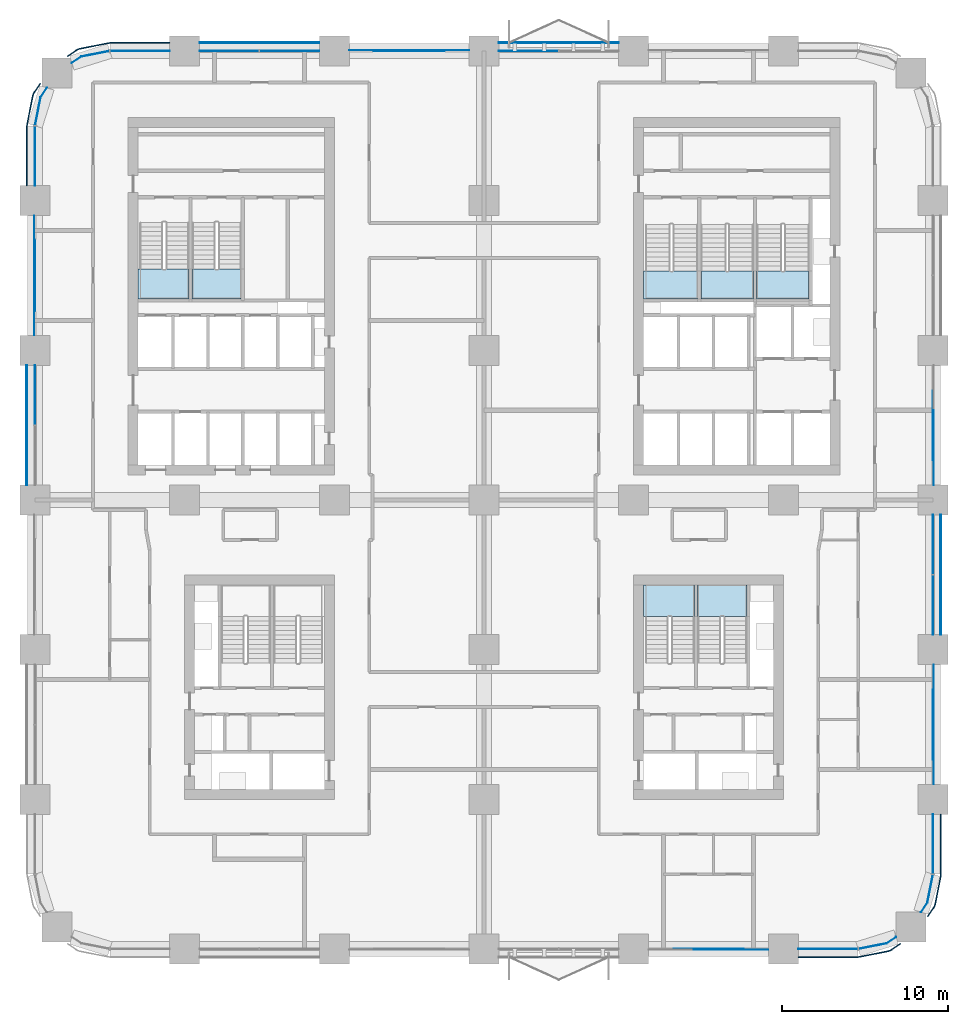
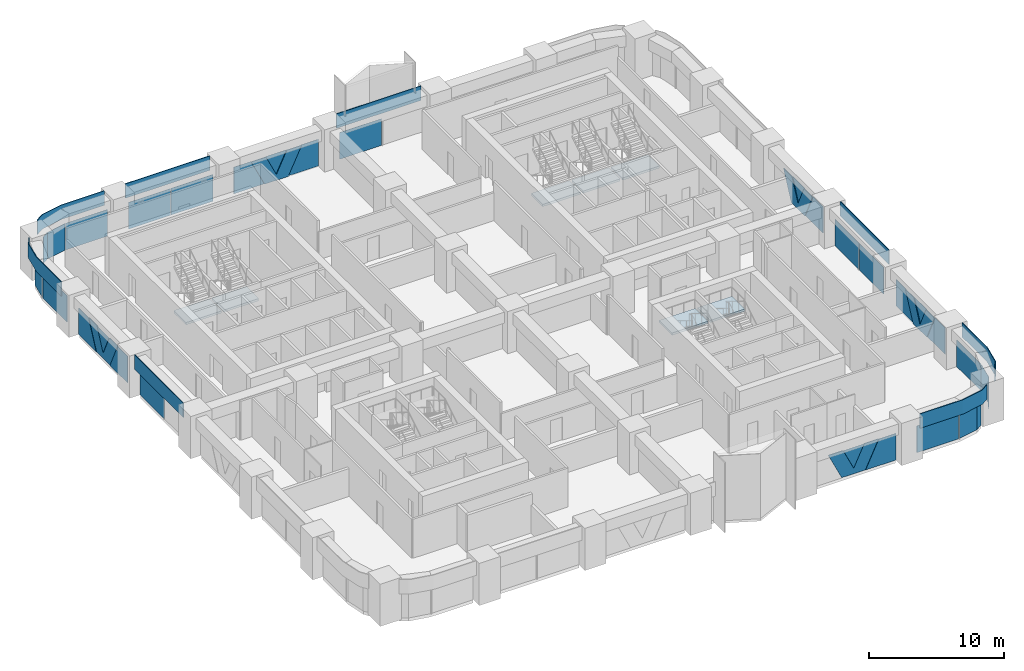
# One storey, part 11 of 22: 40 plates, 7 slabs, 20 elements without a shape of their own.
"""IFC4 building model written with IfcOpenShell, lengths in metres."""

from ifc_helpers import new_model, si_unit, direction, frame, origin, origin_2d, place, context, subcontext, project, spatial, polyline, rectangle, outline, extrude, material, layer, layer_set, type_object, element, aggregate, save


model = new_model("IFC4")

# Units and contexts
model_context = context("Model", 3, precision=1e-05, world=origin(), true_north=direction((0.0, 1.0)))
body_context = subcontext(model_context, "Body", "Model", "MODEL_VIEW")
ifc_project = project(units=[si_unit("LENGTHUNIT", "METRE"), si_unit("AREAUNIT", "SQUARE_METRE"), si_unit("VOLUMEUNIT", "CUBIC_METRE"), si_unit("PLANEANGLEUNIT", "RADIAN"), si_unit("MASSUNIT", "GRAM", prefix="KILO")], contexts=[model_context])

# Site, building, storey
site_placement = place(None, origin())
site = spatial("IfcSite", under=ifc_project, at=site_placement, CompositionType="ELEMENT")
building_placement = place(site_placement, origin())
building = spatial("IfcBuilding", under=site, at=building_placement, Name="Tessera Arch", CompositionType="ELEMENT")
storey_placement = place(building_placement, frame((0.0, 0.0, 53.800048828125)))
storey = spatial("IfcBuildingStorey", under=building, at=storey_placement, Name="L11", CompositionType="ELEMENT", Elevation=53.800048828125)

# Curtain wall, plates
ifc_material_1 = material(Name="CW1 curtain wall")
curtain_wall_type_1 = type_object("IfcCurtainWallType", Name="CW1 curtain wall", PredefinedType="NOTDEFINED", material=ifc_material_1)
curtain_wall_1_placement = place(storey_placement, origin())
curtain_wall_1 = element("IfcCurtainWall", 1, at=curtain_wall_1_placement, inside=storey, type_object=curtain_wall_type_1, Name="CW1 curtain wall E54.0/2 L11", PredefinedType="NOTDEFINED")
ifc_material_2 = material(Name="Clear low-e glass", Category="glass")
ifc_material_3 = material(Name="Clear low-e glass", Category="glass")
ifc_layer_1 = layer(ifc_material_3, 0.028076171875)
ifc_layer_set_1 = layer_set([ifc_layer_1], Name="CW1 glass panel")
plate_type_1 = type_object("IfcPlateType", Name="CW1 glass panel", PredefinedType="CURTAIN_PANEL", material=ifc_layer_set_1)
plate_1_placement = place(storey_placement, frame((54.0, 20.68505859375, 0.0), z_axis=(0.0, 0.0, 1.0), x_axis=(0.0, 1.0, 0.0)))
plate_1 = element("IfcPlate", 2, at=plate_1_placement, type_object=plate_type_1, material=ifc_material_2, Name="CW1 glass panel E54.0/2 1.1.1", PredefinedType="CURTAIN_PANEL", context=body_context, shape_type="SweptSolid", body=[
    extrude(rectangle(XDim=3.570068359375, YDim=0.028076171875, at=origin_2d()), origin(), (0.0, 0.0, 1.0), 2.39990234375),
])
plate_2_placement = place(storey_placement, frame((54.0, 24.31494140625, 0.0), z_axis=(0.0, 0.0, 1.0), x_axis=(0.0, 1.0, 0.0)))
plate_2 = element("IfcPlate", 3, at=plate_2_placement, type_object=plate_type_1, material=ifc_material_2, Name="CW1 glass panel E54.0/2 1.2.1", PredefinedType="CURTAIN_PANEL", context=body_context, shape_type="SweptSolid", body=[
    extrude(rectangle(XDim=3.570068359375, YDim=0.028076171875, at=origin_2d()), origin(), (0.0, 0.0, 1.0), 2.39990234375),
])

# Curtain wall, plate
curtain_wall_2_placement = place(storey_placement, origin())
curtain_wall_2 = element("IfcCurtainWall", 4, at=curtain_wall_2_placement, inside=storey, type_object=curtain_wall_type_1, Name="CW1 curtain wall N54.0/2 L11", PredefinedType="NOTDEFINED")
plate_3_placement = place(storey_placement, frame((29.68505859375, 54.0, 0.0), z_axis=(0.0, 0.0, 1.0), x_axis=(-1.0, 0.0, 0.0)))
plate_3 = element("IfcPlate", 5, at=plate_3_placement, type_object=plate_type_1, material=ifc_material_2, Name="CW1 glass panel N54.0/2 1.2.1", PredefinedType="CURTAIN_PANEL", context=body_context, shape_type="SweptSolid", body=[
    extrude(rectangle(XDim=3.570068359375, YDim=0.028076171875, at=origin_2d()), origin(), (0.0, 0.0, 1.0), 2.39990234375),
])

# Curtain wall, plates
curtain_wall_3_placement = place(storey_placement, origin())
curtain_wall_3 = element("IfcCurtainWall", 6, at=curtain_wall_3_placement, inside=storey, type_object=curtain_wall_type_1, Name="CW1 curtain wall N54.0/4 L11", PredefinedType="NOTDEFINED")
plate_4_placement = place(storey_placement, frame((15.31494140625, 54.0, 0.0), z_axis=(0.0, 0.0, 1.0), x_axis=(-1.0, 0.0, 0.0)))
plate_4 = element("IfcPlate", 7, at=plate_4_placement, type_object=plate_type_1, material=ifc_material_2, Name="CW1 glass panel N54.0/4 1.1.1", PredefinedType="CURTAIN_PANEL", context=body_context, shape_type="SweptSolid", body=[
    extrude(rectangle(XDim=3.570068359375, YDim=0.028076171875, at=origin_2d()), origin(), (0.0, 0.0, 1.0), 2.39990234375),
])
plate_5_placement = place(storey_placement, frame((11.68505859375, 54.0, 0.0), z_axis=(0.0, 0.0, 1.0), x_axis=(-1.0, 0.0, 0.0)))
plate_5 = element("IfcPlate", 8, at=plate_5_placement, type_object=plate_type_1, material=ifc_material_2, Name="CW1 glass panel N54.0/4 1.2.1", PredefinedType="CURTAIN_PANEL", context=body_context, shape_type="SweptSolid", body=[
    extrude(rectangle(XDim=3.570068359375, YDim=0.028076171875, at=origin_2d()), origin(), (0.0, 0.0, 1.0), 2.39990234375),
])

# Curtain wall, plate
curtain_wall_4_placement = place(storey_placement, origin())
curtain_wall_4 = element("IfcCurtainWall", 9, at=curtain_wall_4_placement, inside=storey, type_object=curtain_wall_type_1, Name="CW1 curtain wall W0.0/2 L11", PredefinedType="NOTDEFINED")
plate_6_placement = place(storey_placement, frame((0.0, 33.31494140625, 0.0), z_axis=(0.0, 0.0, 1.0), x_axis=(0.0, -1.0, 0.0)))
plate_6 = element("IfcPlate", 10, at=plate_6_placement, type_object=plate_type_1, material=ifc_material_2, Name="CW1 glass panel W0.0/2 1.1.1", PredefinedType="CURTAIN_PANEL", context=body_context, shape_type="SweptSolid", body=[
    extrude(rectangle(XDim=3.570068359375, YDim=0.028076171875, at=origin_2d()), origin(), (0.0, 0.0, 1.0), 2.39990234375),
])

# Plate
ifc_material_4 = material(Name="Pale anodised aluminium panel", Category="aluminium")
ifc_layer_2 = layer(ifc_material_4, 0.06005859375)
ifc_layer_set_2 = layer_set([ifc_layer_2], Name="CW1 spandrel panel")
plate_type_2 = type_object("IfcPlateType", Name="CW1 spandrel panel", PredefinedType="CURTAIN_PANEL", material=ifc_layer_set_2)
plate_7_placement = place(storey_placement, frame((54.47998046875, 22.5, 2.5), z_axis=(0.0, 0.0, 1.0), x_axis=(0.0, 1.0, 0.0)))
plate_7 = element("IfcPlate", 11, at=plate_7_placement, type_object=plate_type_2, Name="CW1 spandrel panel E54.0/2", PredefinedType="CURTAIN_PANEL", context=body_context, shape_type="SweptSolid", body=[
    extrude(rectangle(XDim=7.199951171875, YDim=0.06005859375, at=origin_2d()), origin(), (0.0, 0.0, 1.0), 1.300048828125),
])

aggregate(curtain_wall_1, [plate_1, plate_2, plate_7])

plate_8_placement = place(storey_placement, frame((31.5, 54.47998046875, 2.5), z_axis=(0.0, 0.0, 1.0), x_axis=(-1.0, 0.0, 0.0)))
plate_8 = element("IfcPlate", 12, at=plate_8_placement, type_object=plate_type_2, Name="CW1 spandrel panel N54.0/2", PredefinedType="CURTAIN_PANEL", context=body_context, shape_type="SweptSolid", body=[
    extrude(rectangle(XDim=7.199951171875, YDim=0.06005859375, at=origin_2d()), origin(), (0.0, 0.0, 1.0), 1.300048828125),
])

aggregate(curtain_wall_2, [plate_3, plate_8])

plate_9_placement = place(storey_placement, frame((13.5, 54.47998046875, 2.5), z_axis=(0.0, 0.0, 1.0), x_axis=(-1.0, 0.0, 0.0)))
plate_9 = element("IfcPlate", 13, at=plate_9_placement, type_object=plate_type_2, Name="CW1 spandrel panel N54.0/4", PredefinedType="CURTAIN_PANEL", context=body_context, shape_type="SweptSolid", body=[
    extrude(rectangle(XDim=7.199951171875, YDim=0.06005859375, at=origin_2d()), origin(), (0.0, 0.0, 1.0), 1.300048828125),
])

aggregate(curtain_wall_3, [plate_4, plate_5, plate_9])

plate_10_placement = place(storey_placement, frame((-0.47998046875, 31.5, 2.5), z_axis=(0.0, 0.0, 1.0), x_axis=(0.0, -1.0, 0.0)))
plate_10 = element("IfcPlate", 14, at=plate_10_placement, type_object=plate_type_2, Name="CW1 spandrel panel W0.0/2", PredefinedType="CURTAIN_PANEL", context=body_context, shape_type="SweptSolid", body=[
    extrude(rectangle(XDim=7.199951171875, YDim=0.06005859375, at=origin_2d()), origin(), (0.0, 0.0, 1.0), 1.300048828125),
])

aggregate(curtain_wall_4, [plate_6, plate_10])

# Curtain wall, plates
ifc_material_5 = material(Name="CW2 curtain wall")
curtain_wall_type_2 = type_object("IfcCurtainWallType", Name="CW2 curtain wall", PredefinedType="NOTDEFINED", material=ifc_material_5)
curtain_wall_5_placement = place(storey_placement, origin())
curtain_wall_5 = element("IfcCurtainWall", 15, at=curtain_wall_5_placement, inside=storey, type_object=curtain_wall_type_2, Name="CW2 curtain wall S0.0/4 L11", PredefinedType="NOTDEFINED")
ifc_material_6 = material(Name="Clear low-e glass", Category="glass")
ifc_layer_3 = layer(ifc_material_6, 0.028076171875)
ifc_layer_set_3 = layer_set([ifc_layer_3], Name="CW2 glass panel")
plate_type_3 = type_object("IfcPlateType", Name="CW2 glass panel", PredefinedType="CURTAIN_PANEL", material=ifc_layer_set_3)
plate_11_placement = place(storey_placement, frame((47.679931640625, 0.0, 0.0), z_axis=(0.0, 0.0, 1.0), x_axis=(1.0, 0.0, 0.0)))
plate_11 = element("IfcPlate", 16, at=plate_11_placement, type_object=plate_type_3, material=ifc_material_2, Name="CW2 glass panel S0.0/4 1.1", PredefinedType="CURTAIN_PANEL", context=body_context, shape_type="SweptSolid", body=[
    extrude(rectangle(XDim=3.56005859375, YDim=0.028076171875, at=origin_2d()), origin(), (0.0, 0.0, 1.0), 2.39990234375),
])
plate_12_placement = place(storey_placement, origin())
plate_12 = element("IfcPlate", 17, at=plate_12_placement, type_object=plate_type_3, material=ifc_material_2, Name="CW2 curved glass panel S0.0/4 2.1", PredefinedType="CURTAIN_PANEL", context=body_context, shape_type="SweptSolid", body=[
    extrude(outline(polyline([(51.216552734375, 0.355712890625), (49.53662109375, 0.021484375), (49.5419921875, -0.005859375), (51.2275390625, 0.329345703125), (51.789794921875, 0.705078125), (51.774169921875, 0.728271484375), (51.216552734375, 0.355712890625)])), origin(), (0.0, 0.0, 1.0), 2.39990234375),
])

curtain_wall_6_placement = place(storey_placement, origin())
curtain_wall_6 = element("IfcCurtainWall", 18, at=curtain_wall_6_placement, inside=storey, type_object=curtain_wall_type_2, Name="CW2 curtain wall E54.0/0 L11", PredefinedType="NOTDEFINED")
plate_13_placement = place(storey_placement, frame((54.0, 6.320068359375, 0.0), z_axis=(0.0, 0.0, 1.0), x_axis=(0.0, 1.0, 0.0)))
plate_13 = element("IfcPlate", 19, at=plate_13_placement, type_object=plate_type_3, material=ifc_material_2, Name="CW2 glass panel E54.0/0 1.1", PredefinedType="CURTAIN_PANEL", context=body_context, shape_type="SweptSolid", body=[
    extrude(rectangle(XDim=3.56005859375, YDim=0.028076171875, at=origin_2d()), origin(), (0.0, 0.0, 1.0), 2.39990234375),
])
plate_14_placement = place(storey_placement, origin())
plate_14 = element("IfcPlate", 20, at=plate_14_placement, type_object=plate_type_3, material=ifc_material_2, Name="CW2 curved glass panel E54.0/0 2.1", PredefinedType="CURTAIN_PANEL", context=body_context, shape_type="SweptSolid", body=[
    extrude(outline(polyline([(53.644287109375, 2.783447265625), (53.271728515625, 2.225830078125), (53.294921875, 2.210205078125), (53.670654296875, 2.7724609375), (54.005859375, 4.4580078125), (53.978515625, 4.46337890625), (53.644287109375, 2.783447265625)])), origin(), (0.0, 0.0, 1.0), 2.39990234375),
])

curtain_wall_7_placement = place(storey_placement, origin())
curtain_wall_7 = element("IfcCurtainWall", 21, at=curtain_wall_7_placement, inside=storey, type_object=curtain_wall_type_2, Name="CW2 curtain wall N54.0/5 L11", PredefinedType="NOTDEFINED")
plate_15_placement = place(storey_placement, frame((6.320068359375, 54.0, 0.0), z_axis=(0.0, 0.0, 1.0), x_axis=(-1.0, 0.0, 0.0)))
plate_15 = element("IfcPlate", 22, at=plate_15_placement, type_object=plate_type_3, material=ifc_material_2, Name="CW2 glass panel N54.0/5 1.1", PredefinedType="CURTAIN_PANEL", context=body_context, shape_type="SweptSolid", body=[
    extrude(rectangle(XDim=3.56005859375, YDim=0.028076171875, at=origin_2d()), origin(), (0.0, 0.0, 1.0), 2.39990234375),
])
plate_16_placement = place(storey_placement, origin())
plate_16 = element("IfcPlate", 23, at=plate_16_placement, type_object=plate_type_3, material=ifc_material_2, Name="CW2 curved glass panel N54.0/5 2.1", PredefinedType="CURTAIN_PANEL", context=body_context, shape_type="SweptSolid", body=[
    extrude(outline(polyline([(2.783447265625, 53.644287109375), (4.46337890625, 53.978515625), (4.4580078125, 54.005859375), (2.7724609375, 53.670654296875), (2.210205078125, 53.294921875), (2.225830078125, 53.271728515625), (2.783447265625, 53.644287109375)])), origin(), (0.0, 0.0, 1.0), 2.39990234375),
])

curtain_wall_8_placement = place(storey_placement, origin())
curtain_wall_8 = element("IfcCurtainWall", 24, at=curtain_wall_8_placement, inside=storey, type_object=curtain_wall_type_2, Name="CW2 curtain wall W0.0/0 L11", PredefinedType="NOTDEFINED")
plate_17_placement = place(storey_placement, frame((0.0, 47.679931640625, 0.0), z_axis=(0.0, 0.0, 1.0), x_axis=(0.0, -1.0, 0.0)))
plate_17 = element("IfcPlate", 25, at=plate_17_placement, type_object=plate_type_3, material=ifc_material_2, Name="CW2 glass panel W0.0/0 1.1", PredefinedType="CURTAIN_PANEL", context=body_context, shape_type="SweptSolid", body=[
    extrude(rectangle(XDim=3.56005859375, YDim=0.028076171875, at=origin_2d()), origin(), (0.0, 0.0, 1.0), 2.39990234375),
])
plate_18_placement = place(storey_placement, origin())
plate_18 = element("IfcPlate", 26, at=plate_18_placement, type_object=plate_type_3, material=ifc_material_2, Name="CW2 curved glass panel W0.0/0 2.1", PredefinedType="CURTAIN_PANEL", context=body_context, shape_type="SweptSolid", body=[
    extrude(outline(polyline([(0.355712890625, 51.216552734375), (0.728271484375, 51.774169921875), (0.705078125, 51.789794921875), (0.329345703125, 51.2275390625), (-0.005859375, 49.5419921875), (0.021484375, 49.53662109375), (0.355712890625, 51.216552734375)])), origin(), (0.0, 0.0, 1.0), 2.39990234375),
])

# Plate
ifc_material_7 = material(Name="Pale anodised aluminium panel", Category="aluminium")
ifc_layer_4 = layer(ifc_material_7, 0.06005859375)
ifc_layer_set_4 = layer_set([ifc_layer_4], Name="CW2 spandrel panel")
plate_type_4 = type_object("IfcPlateType", Name="CW2 spandrel panel", PredefinedType="CURTAIN_PANEL", material=ifc_layer_set_4)
plate_19_placement = place(storey_placement, frame((0.0, 0.0, 2.5)))
plate_19 = element("IfcPlate", 27, at=plate_19_placement, type_object=plate_type_4, Name="CW2 spandrel panel S0.0/4", PredefinedType="CURTAIN_PANEL", context=body_context, shape_type="SweptSolid", body=[
    extrude(outline(polyline([(49.499267578125, -0.449951171875), (45.89990234375, -0.449951171875), (45.89990234375, -0.510009765625), (49.500732421875, -0.510009765625), (49.550048828125, -0.507568359375), (49.598876953125, -0.500244140625), (51.322265625, -0.157470703125), (51.3701171875, -0.1455078125), (51.417236328125, -0.128662109375), (51.462646484375, -0.107177734375), (51.5048828125, -0.08203125), (52.0654296875, 0.292724609375), (52.031982421875, 0.342529296875), (51.47265625, -0.03125), (51.434326171875, -0.05419921875), (51.394287109375, -0.0732421875), (51.352783203125, -0.088134765625), (51.30908203125, -0.09912109375), (49.588623046875, -0.441162109375), (49.544189453125, -0.44775390625), (49.499267578125, -0.449951171875)])), origin(), (0.0, 0.0, 1.0), 1.300048828125),
])

aggregate(curtain_wall_5, [plate_11, plate_12, plate_19])

plate_20_placement = place(storey_placement, frame((0.0, 0.0, 2.5)))
plate_20 = element("IfcPlate", 28, at=plate_20_placement, type_object=plate_type_4, Name="CW2 spandrel panel E54.0/0", PredefinedType="CURTAIN_PANEL", context=body_context, shape_type="SweptSolid", body=[
    extrude(outline(polyline([(54.03125, 2.52734375), (53.657470703125, 1.968017578125), (53.707275390625, 1.9345703125), (54.08203125, 2.4951171875), (54.107177734375, 2.537353515625), (54.128662109375, 2.582763671875), (54.1455078125, 2.6298828125), (54.157470703125, 2.677734375), (54.500244140625, 4.401123046875), (54.507568359375, 4.449951171875), (54.510009765625, 4.499267578125), (54.510009765625, 8.10009765625), (54.449951171875, 8.10009765625), (54.449951171875, 4.500732421875), (54.44775390625, 4.455810546875), (54.441162109375, 4.411376953125), (54.09912109375, 2.69091796875), (54.088134765625, 2.647216796875), (54.0732421875, 2.605712890625), (54.05419921875, 2.565673828125), (54.03125, 2.52734375)])), origin(), (0.0, 0.0, 1.0), 1.300048828125),
])

aggregate(curtain_wall_6, [plate_13, plate_14, plate_20])

plate_21_placement = place(storey_placement, frame((0.0, 0.0, 2.5)))
plate_21 = element("IfcPlate", 29, at=plate_21_placement, type_object=plate_type_4, Name="CW2 spandrel panel N54.0/5", PredefinedType="CURTAIN_PANEL", context=body_context, shape_type="SweptSolid", body=[
    extrude(outline(polyline([(4.500732421875, 54.449951171875), (8.10009765625, 54.449951171875), (8.10009765625, 54.510009765625), (4.499267578125, 54.510009765625), (4.449951171875, 54.507568359375), (4.401123046875, 54.500244140625), (2.677734375, 54.157470703125), (2.6298828125, 54.1455078125), (2.582763671875, 54.128662109375), (2.537353515625, 54.107177734375), (2.4951171875, 54.08203125), (1.9345703125, 53.707275390625), (1.968017578125, 53.657470703125), (2.52734375, 54.03125), (2.565673828125, 54.05419921875), (2.605712890625, 54.0732421875), (2.647216796875, 54.088134765625), (2.69091796875, 54.09912109375), (4.411376953125, 54.441162109375), (4.455810546875, 54.44775390625), (4.500732421875, 54.449951171875)])), origin(), (0.0, 0.0, 1.0), 1.300048828125),
])

aggregate(curtain_wall_7, [plate_15, plate_16, plate_21])

plate_22_placement = place(storey_placement, frame((0.0, 0.0, 2.5)))
plate_22 = element("IfcPlate", 30, at=plate_22_placement, type_object=plate_type_4, Name="CW2 spandrel panel W0.0/0", PredefinedType="CURTAIN_PANEL", context=body_context, shape_type="SweptSolid", body=[
    extrude(outline(polyline([(-0.03125, 51.47265625), (0.342529296875, 52.031982421875), (0.292724609375, 52.0654296875), (-0.08203125, 51.5048828125), (-0.107177734375, 51.462646484375), (-0.128662109375, 51.417236328125), (-0.1455078125, 51.3701171875), (-0.157470703125, 51.322265625), (-0.500244140625, 49.598876953125), (-0.507568359375, 49.550048828125), (-0.510009765625, 49.500732421875), (-0.510009765625, 45.89990234375), (-0.449951171875, 45.89990234375), (-0.449951171875, 49.499267578125), (-0.44775390625, 49.544189453125), (-0.441162109375, 49.588623046875), (-0.09912109375, 51.30908203125), (-0.088134765625, 51.352783203125), (-0.0732421875, 51.394287109375), (-0.05419921875, 51.434326171875), (-0.03125, 51.47265625)])), origin(), (0.0, 0.0, 1.0), 1.300048828125),
])

aggregate(curtain_wall_8, [plate_17, plate_18, plate_22])

# Curtain wall, plate
ifc_material_8 = material(Name="CW3 curtain wall")
curtain_wall_type_3 = type_object("IfcCurtainWallType", Name="CW3 curtain wall", PredefinedType="NOTDEFINED", material=ifc_material_8)
curtain_wall_9_placement = place(storey_placement, origin())
curtain_wall_9 = element("IfcCurtainWall", 31, at=curtain_wall_9_placement, inside=storey, type_object=curtain_wall_type_3, Name="CW3 curtain wall S0.0/3 L11", PredefinedType="NOTDEFINED")
ifc_material_9 = material(Name="Pale anodised aluminium panel", Category="aluminium")
ifc_layer_5 = layer(ifc_material_9, 0.06005859375)
ifc_layer_set_5 = layer_set([ifc_layer_5], Name="CW3 diagonal panel")
plate_type_5 = type_object("IfcPlateType", Name="CW3 diagonal panel", PredefinedType="CURTAIN_PANEL", material=ifc_layer_set_5)
plate_23_placement = place(storey_placement, frame((42.644287109375, -0.030029296875, 2.39990234375), z_axis=(0.0, -1.0, 0.0), x_axis=(-1.0, 0.0, 0.0)))
plate_23 = element("IfcPlate", 32, at=plate_23_placement, type_object=plate_type_5, Name="CW3 diagonal panel S0.0/3 1", PredefinedType="CURTAIN_PANEL", context=body_context, shape_type="SweptSolid", body=[
    extrude(outline(polyline([(0.0, 0.0), (1.257080078125, 0.0), (2.144287109375, 1.873046875), (3.031494140625, 0.0), (4.28857421875, 0.0), (3.15185546875, 2.39990234375), (1.13671875, 2.39990234375), (0.0, 0.0)])), origin(), (0.0, 0.0, -1.0), 0.06005859375),
])

curtain_wall_10_placement = place(storey_placement, origin())
curtain_wall_10 = element("IfcCurtainWall", 33, at=curtain_wall_10_placement, inside=storey, type_object=curtain_wall_type_3, Name="CW3 curtain wall E54.0/1 L11", PredefinedType="NOTDEFINED")
plate_24_placement = place(storey_placement, frame((54.030029296875, 15.644287109375, 2.39990234375), z_axis=(1.0, 0.0, 0.0), x_axis=(0.0, -1.0, 0.0)))
plate_24 = element("IfcPlate", 34, at=plate_24_placement, type_object=plate_type_5, Name="CW3 diagonal panel E54.0/1 1", PredefinedType="CURTAIN_PANEL", context=body_context, shape_type="SweptSolid", body=[
    extrude(outline(polyline([(0.0, 0.0), (1.257080078125, 0.0), (2.144287109375, 1.873046875), (3.031494140625, 0.0), (4.28857421875, 0.0), (3.15185546875, 2.39990234375), (1.13671875, 2.39990234375), (0.0, 0.0)])), origin(), (0.0, 0.0, -1.0), 0.06005859375),
])

curtain_wall_11_placement = place(storey_placement, origin())
curtain_wall_11 = element("IfcCurtainWall", 35, at=curtain_wall_11_placement, inside=storey, type_object=curtain_wall_type_3, Name="CW3 curtain wall E54.0/3 L11", PredefinedType="NOTDEFINED")
plate_25_placement = place(storey_placement, frame((54.030029296875, 33.644287109375, 2.39990234375), z_axis=(1.0, 0.0, 0.0), x_axis=(0.0, -1.0, 0.0)))
plate_25 = element("IfcPlate", 36, at=plate_25_placement, type_object=plate_type_5, Name="CW3 diagonal panel E54.0/3 1", PredefinedType="CURTAIN_PANEL", context=body_context, shape_type="SweptSolid", body=[
    extrude(outline(polyline([(0.0, 0.0), (1.257080078125, 0.0), (2.144287109375, 1.873046875), (3.031494140625, 0.0), (4.28857421875, 0.0), (3.15185546875, 2.39990234375), (1.13671875, 2.39990234375), (0.0, 0.0)])), origin(), (0.0, 0.0, -1.0), 0.06005859375),
])

curtain_wall_12_placement = place(storey_placement, origin())
curtain_wall_12 = element("IfcCurtainWall", 37, at=curtain_wall_12_placement, inside=storey, type_object=curtain_wall_type_3, Name="CW3 curtain wall N54.0/3 L11", PredefinedType="NOTDEFINED")
plate_26_placement = place(storey_placement, frame((20.355712890625, 54.030029296875, 2.39990234375), z_axis=(0.0, 1.0, 0.0), x_axis=(1.0, 0.0, 0.0)))
plate_26 = element("IfcPlate", 38, at=plate_26_placement, type_object=plate_type_5, Name="CW3 diagonal panel N54.0/3 1", PredefinedType="CURTAIN_PANEL", context=body_context, shape_type="SweptSolid", body=[
    extrude(outline(polyline([(0.0, 0.0), (1.257080078125, 0.0), (2.144287109375, 1.873046875), (3.031494140625, 0.0), (4.28857421875, 0.0), (3.15185546875, 2.39990234375), (1.13671875, 2.39990234375), (0.0, 0.0)])), origin(), (0.0, 0.0, -1.0), 0.06005859375),
])

curtain_wall_13_placement = place(storey_placement, origin())
curtain_wall_13 = element("IfcCurtainWall", 39, at=curtain_wall_13_placement, inside=storey, type_object=curtain_wall_type_3, Name="CW3 curtain wall W0.0/1 L11", PredefinedType="NOTDEFINED")
plate_27_placement = place(storey_placement, frame((-0.030029296875, 38.355712890625, 2.39990234375), z_axis=(-1.0, 0.0, 0.0), x_axis=(0.0, 1.0, 0.0)))
plate_27 = element("IfcPlate", 40, at=plate_27_placement, type_object=plate_type_5, Name="CW3 diagonal panel W0.0/1 1", PredefinedType="CURTAIN_PANEL", context=body_context, shape_type="SweptSolid", body=[
    extrude(outline(polyline([(0.0, 0.0), (1.257080078125, 0.0), (2.144287109375, 1.873046875), (3.031494140625, 0.0), (4.28857421875, 0.0), (3.15185546875, 2.39990234375), (1.13671875, 2.39990234375), (0.0, 0.0)])), origin(), (0.0, 0.0, -1.0), 0.06005859375),
])

# Plate
ifc_material_10 = material(Name="Clear low-e glass", Category="glass")
ifc_layer_6 = layer(ifc_material_10, 0.028076171875)
ifc_layer_set_6 = layer_set([ifc_layer_6], Name="CW3 glass panel")
plate_type_6 = type_object("IfcPlateType", Name="CW3 glass panel", PredefinedType="CURTAIN_PANEL", material=ifc_layer_set_6)
plate_28_placement = place(storey_placement, frame((41.38720703125, -0.05810546875, 2.39990234375), z_axis=(0.0, -1.0, 0.0), x_axis=(-1.0, 0.0, 0.0)))
plate_28 = element("IfcPlate", 41, at=plate_28_placement, type_object=plate_type_6, material=ifc_material_2, Name="CW3 triangulated glass panel S0.0/3 2", PredefinedType="CURTAIN_PANEL", context=body_context, shape_type="SweptSolid", body=[
    extrude(outline(polyline([(0.0, 0.0), (1.7744140625, 0.0), (0.88720703125, 1.873046875), (0.0, 0.0)])), origin(), (0.0, 0.0, -1.0), 0.028076171875),
])

plate_29_placement = place(storey_placement, frame((44.10009765625, -0.05810546875, 2.39990234375), z_axis=(0.0, -1.0, 0.0), x_axis=(-1.0, 0.0, 0.0)))
plate_29 = element("IfcPlate", 42, at=plate_29_placement, type_object=plate_type_6, material=ifc_material_2, Name="CW3 triangulated glass panel S0.0/3 3", PredefinedType="CURTAIN_PANEL", context=body_context, shape_type="SweptSolid", body=[
    extrude(outline(polyline([(0.0, 0.0), (1.455810546875, 0.0), (2.592529296875, 2.39990234375), (0.0, 2.39990234375), (0.0, 0.0)])), origin(), (0.0, 0.0, -1.0), 0.028076171875),
])

aggregate(curtain_wall_9, [plate_28, plate_29, plate_23])

plate_30_placement = place(storey_placement, frame((54.05810546875, 9.89990234375, 0.0), z_axis=(1.0, 0.0, 0.0), x_axis=(0.0, 1.0, 0.0)))
plate_30 = element("IfcPlate", 43, at=plate_30_placement, type_object=plate_type_6, material=ifc_material_2, Name="CW3 triangulated glass panel E54.0/1 1", PredefinedType="CURTAIN_PANEL", context=body_context, shape_type="SweptSolid", body=[
    extrude(outline(polyline([(0.0, 0.0), (2.592529296875, 0.0), (1.455810546875, 2.39990234375), (0.0, 2.39990234375), (0.0, 0.0)])), origin(), (0.0, 0.0, -1.0), 0.028076171875),
])

plate_31_placement = place(storey_placement, frame((54.05810546875, 14.38720703125, 2.39990234375), z_axis=(1.0, 0.0, 0.0), x_axis=(0.0, -1.0, 0.0)))
plate_31 = element("IfcPlate", 44, at=plate_31_placement, type_object=plate_type_6, material=ifc_material_2, Name="CW3 triangulated glass panel E54.0/1 2", PredefinedType="CURTAIN_PANEL", context=body_context, shape_type="SweptSolid", body=[
    extrude(outline(polyline([(0.0, 0.0), (1.7744140625, 0.0), (0.88720703125, 1.873046875), (0.0, 0.0)])), origin(), (0.0, 0.0, -1.0), 0.028076171875),
])

plate_32_placement = place(storey_placement, frame((54.05810546875, 17.10009765625, 2.39990234375), z_axis=(1.0, 0.0, 0.0), x_axis=(0.0, -1.0, 0.0)))
plate_32 = element("IfcPlate", 45, at=plate_32_placement, type_object=plate_type_6, material=ifc_material_2, Name="CW3 triangulated glass panel E54.0/1 3", PredefinedType="CURTAIN_PANEL", context=body_context, shape_type="SweptSolid", body=[
    extrude(outline(polyline([(0.0, 0.0), (1.455810546875, 0.0), (2.592529296875, 2.39990234375), (0.0, 2.39990234375), (0.0, 0.0)])), origin(), (0.0, 0.0, -1.0), 0.028076171875),
])

aggregate(curtain_wall_10, [plate_30, plate_31, plate_32, plate_24])

plate_33_placement = place(storey_placement, frame((54.05810546875, 27.89990234375, 0.0), z_axis=(1.0, 0.0, 0.0), x_axis=(0.0, 1.0, 0.0)))
plate_33 = element("IfcPlate", 46, at=plate_33_placement, type_object=plate_type_6, material=ifc_material_2, Name="CW3 triangulated glass panel E54.0/3 1", PredefinedType="CURTAIN_PANEL", context=body_context, shape_type="SweptSolid", body=[
    extrude(outline(polyline([(0.0, 0.0), (2.592529296875, 0.0), (1.455810546875, 2.39990234375), (0.0, 2.39990234375), (0.0, 0.0)])), origin(), (0.0, 0.0, -1.0), 0.028076171875),
])

plate_34_placement = place(storey_placement, frame((54.05810546875, 32.38720703125, 2.39990234375), z_axis=(1.0, 0.0, 0.0), x_axis=(0.0, -1.0, 0.0)))
plate_34 = element("IfcPlate", 47, at=plate_34_placement, type_object=plate_type_6, material=ifc_material_2, Name="CW3 triangulated glass panel E54.0/3 2", PredefinedType="CURTAIN_PANEL", context=body_context, shape_type="SweptSolid", body=[
    extrude(outline(polyline([(0.0, 0.0), (1.7744140625, 0.0), (0.88720703125, 1.873046875), (0.0, 0.0)])), origin(), (0.0, 0.0, -1.0), 0.028076171875),
])

aggregate(curtain_wall_11, [plate_33, plate_34, plate_25])

plate_35_placement = place(storey_placement, frame((26.10009765625, 54.05810546875, 0.0), z_axis=(0.0, 1.0, 0.0), x_axis=(-1.0, 0.0, 0.0)))
plate_35 = element("IfcPlate", 48, at=plate_35_placement, type_object=plate_type_6, material=ifc_material_2, Name="CW3 triangulated glass panel N54.0/3 1", PredefinedType="CURTAIN_PANEL", context=body_context, shape_type="SweptSolid", body=[
    extrude(outline(polyline([(0.0, 0.0), (2.592529296875, 0.0), (1.455810546875, 2.39990234375), (0.0, 2.39990234375), (0.0, 0.0)])), origin(), (0.0, 0.0, -1.0), 0.028076171875),
])

plate_36_placement = place(storey_placement, frame((21.61279296875, 54.05810546875, 2.39990234375), z_axis=(0.0, 1.0, 0.0), x_axis=(1.0, 0.0, 0.0)))
plate_36 = element("IfcPlate", 49, at=plate_36_placement, type_object=plate_type_6, material=ifc_material_2, Name="CW3 triangulated glass panel N54.0/3 2", PredefinedType="CURTAIN_PANEL", context=body_context, shape_type="SweptSolid", body=[
    extrude(outline(polyline([(0.0, 0.0), (1.7744140625, 0.0), (0.88720703125, 1.873046875), (0.0, 0.0)])), origin(), (0.0, 0.0, -1.0), 0.028076171875),
])

plate_37_placement = place(storey_placement, frame((18.89990234375, 54.05810546875, 2.39990234375), z_axis=(0.0, 1.0, 0.0), x_axis=(1.0, 0.0, 0.0)))
plate_37 = element("IfcPlate", 50, at=plate_37_placement, type_object=plate_type_6, material=ifc_material_2, Name="CW3 triangulated glass panel N54.0/3 3", PredefinedType="CURTAIN_PANEL", context=body_context, shape_type="SweptSolid", body=[
    extrude(outline(polyline([(0.0, 0.0), (1.455810546875, 0.0), (2.592529296875, 2.39990234375), (0.0, 2.39990234375), (0.0, 0.0)])), origin(), (0.0, 0.0, -1.0), 0.028076171875),
])

aggregate(curtain_wall_12, [plate_35, plate_36, plate_37, plate_26])

plate_38_placement = place(storey_placement, frame((-0.05810546875, 44.10009765625, 0.0), z_axis=(-1.0, 0.0, 0.0), x_axis=(0.0, -1.0, 0.0)))
plate_38 = element("IfcPlate", 51, at=plate_38_placement, type_object=plate_type_6, material=ifc_material_2, Name="CW3 triangulated glass panel W0.0/1 1", PredefinedType="CURTAIN_PANEL", context=body_context, shape_type="SweptSolid", body=[
    extrude(outline(polyline([(0.0, 0.0), (2.592529296875, 0.0), (1.455810546875, 2.39990234375), (0.0, 2.39990234375), (0.0, 0.0)])), origin(), (0.0, 0.0, -1.0), 0.028076171875),
])

plate_39_placement = place(storey_placement, frame((-0.05810546875, 39.61279296875, 2.39990234375), z_axis=(-1.0, 0.0, 0.0), x_axis=(0.0, 1.0, 0.0)))
plate_39 = element("IfcPlate", 52, at=plate_39_placement, type_object=plate_type_6, material=ifc_material_2, Name="CW3 triangulated glass panel W0.0/1 2", PredefinedType="CURTAIN_PANEL", context=body_context, shape_type="SweptSolid", body=[
    extrude(outline(polyline([(0.0, 0.0), (1.7744140625, 0.0), (0.88720703125, 1.873046875), (0.0, 0.0)])), origin(), (0.0, 0.0, -1.0), 0.028076171875),
])

plate_40_placement = place(storey_placement, frame((-0.05810546875, 36.89990234375, 2.39990234375), z_axis=(-1.0, 0.0, 0.0), x_axis=(0.0, 1.0, 0.0)))
plate_40 = element("IfcPlate", 53, at=plate_40_placement, type_object=plate_type_6, material=ifc_material_2, Name="CW3 triangulated glass panel W0.0/1 3", PredefinedType="CURTAIN_PANEL", context=body_context, shape_type="SweptSolid", body=[
    extrude(outline(polyline([(0.0, 0.0), (1.455810546875, 0.0), (2.592529296875, 2.39990234375), (0.0, 2.39990234375), (0.0, 0.0)])), origin(), (0.0, 0.0, -1.0), 0.028076171875),
])

aggregate(curtain_wall_13, [plate_38, plate_39, plate_40, plate_27])

# Stair, slab
ifc_material_11 = material(Name="Concrete C40/50", Category="concrete")
stair_type_1 = type_object("IfcStairType", Name="Dogleg stair 1520", PredefinedType="HALF_TURN_STAIR", material=ifc_material_11)
stair_1_placement = place(storey_placement, origin())
stair_1 = element("IfcStair", 54, at=stair_1_placement, inside=storey, type_object=stair_type_1, Name="L11 S1a", PredefinedType="HALF_TURN_STAIR")
ifc_material_12 = material(Name="Concrete C40/50", Category="concrete")
ifc_layer_7 = layer(ifc_material_12, 0.300048828125)
ifc_layer_set_7 = layer_set([ifc_layer_7], Name="Stair landing 300")
slab_type = type_object("IfcSlabType", Name="Stair landing 300", PredefinedType="LANDING", material=ifc_layer_set_7)
slab_1_placement = place(storey_placement, frame((0.0, 0.0, 1.699951171875)))
slab_1 = element("IfcSlab", 55, at=slab_1_placement, type_object=slab_type, Name="S1a landing 1", PredefinedType="LANDING", context=body_context, shape_type="SweptSolid", body=[
    extrude(outline(polyline([(36.60009765625, 40.780029296875), (36.60009765625, 39.10009765625), (39.85009765625, 39.10009765625), (39.85009765625, 40.780029296875), (36.60009765625, 40.780029296875)])), origin(), (0.0, 0.0, 1.0), 0.199951171875),
])
aggregate(stair_1, [slab_1])

stair_2_placement = place(storey_placement, origin())
stair_2 = element("IfcStair", 56, at=stair_2_placement, inside=storey, type_object=stair_type_1, Name="L11 S1b", PredefinedType="HALF_TURN_STAIR")
slab_2_placement = place(storey_placement, frame((0.0, 0.0, 1.699951171875)))
slab_2 = element("IfcSlab", 57, at=slab_2_placement, type_object=slab_type, Name="S1b landing 1", PredefinedType="LANDING", context=body_context, shape_type="SweptSolid", body=[
    extrude(outline(polyline([(40.050048828125, 40.780029296875), (40.050048828125, 39.10009765625), (43.199951171875, 39.10009765625), (43.199951171875, 40.780029296875), (40.050048828125, 40.780029296875)])), origin(), (0.0, 0.0, 1.0), 0.199951171875),
])
aggregate(stair_2, [slab_2])

stair_3_placement = place(storey_placement, origin())
stair_3 = element("IfcStair", 58, at=stair_3_placement, inside=storey, type_object=stair_type_1, Name="L11 S1c", PredefinedType="HALF_TURN_STAIR")
slab_3_placement = place(storey_placement, frame((0.0, 0.0, 1.699951171875)))
slab_3 = element("IfcSlab", 59, at=slab_3_placement, type_object=slab_type, Name="S1c landing 1", PredefinedType="LANDING", context=body_context, shape_type="SweptSolid", body=[
    extrude(outline(polyline([(43.39990234375, 40.780029296875), (43.39990234375, 39.10009765625), (46.550048828125, 39.10009765625), (46.550048828125, 40.780029296875), (43.39990234375, 40.780029296875)])), origin(), (0.0, 0.0, 1.0), 0.199951171875),
])
aggregate(stair_3, [slab_3])

ifc_material_13 = material(Name="Concrete C40/50", Category="concrete")
stair_type_2 = type_object("IfcStairType", Name="Dogleg stair 1400", PredefinedType="HALF_TURN_STAIR", material=ifc_material_13)
stair_4_placement = place(storey_placement, origin())
stair_4 = element("IfcStair", 60, at=stair_4_placement, inside=storey, type_object=stair_type_2, Name="L11 S2a", PredefinedType="HALF_TURN_STAIR")
slab_4_placement = place(storey_placement, frame((0.0, 0.0, 1.699951171875)))
slab_4 = element("IfcSlab", 61, at=slab_4_placement, type_object=slab_type, Name="S2a landing 1", PredefinedType="LANDING", context=body_context, shape_type="SweptSolid", body=[
    extrude(outline(polyline([(6.199951171875, 40.89990234375), (6.199951171875, 39.10009765625), (9.25, 39.10009765625), (9.25, 40.89990234375), (6.199951171875, 40.89990234375)])), origin(), (0.0, 0.0, 1.0), 0.199951171875),
])
aggregate(stair_4, [slab_4])

stair_5_placement = place(storey_placement, origin())
stair_5 = element("IfcStair", 62, at=stair_5_placement, inside=storey, type_object=stair_type_2, Name="L11 S2b", PredefinedType="HALF_TURN_STAIR")
slab_5_placement = place(storey_placement, frame((0.0, 0.0, 1.699951171875)))
slab_5 = element("IfcSlab", 63, at=slab_5_placement, type_object=slab_type, Name="S2b landing 1", PredefinedType="LANDING", context=body_context, shape_type="SweptSolid", body=[
    extrude(outline(polyline([(9.449951171875, 40.89990234375), (9.449951171875, 39.10009765625), (12.39990234375, 39.10009765625), (12.39990234375, 40.89990234375), (9.449951171875, 40.89990234375)])), origin(), (0.0, 0.0, 1.0), 0.199951171875),
])
aggregate(stair_5, [slab_5])

stair_6_placement = place(storey_placement, origin())
stair_6 = element("IfcStair", 64, at=stair_6_placement, inside=storey, type_object=stair_type_2, Name="L11 S3a", PredefinedType="HALF_TURN_STAIR")
slab_6_placement = place(storey_placement, frame((0.0, 0.0, 1.699951171875)))
slab_6 = element("IfcSlab", 65, at=slab_6_placement, type_object=slab_type, Name="S3a landing 1", PredefinedType="LANDING", context=body_context, shape_type="SweptSolid", body=[
    extrude(outline(polyline([(39.64990234375, 20.0), (39.64990234375, 21.89990234375), (36.60009765625, 21.89990234375), (36.60009765625, 20.0), (39.64990234375, 20.0)])), origin(), (0.0, 0.0, 1.0), 0.199951171875),
])
aggregate(stair_6, [slab_6])

stair_7_placement = place(storey_placement, origin())
stair_7 = element("IfcStair", 66, at=stair_7_placement, inside=storey, type_object=stair_type_2, Name="L11 S3b", PredefinedType="HALF_TURN_STAIR")
slab_7_placement = place(storey_placement, frame((0.0, 0.0, 1.699951171875)))
slab_7 = element("IfcSlab", 67, at=slab_7_placement, type_object=slab_type, Name="S3b landing 1", PredefinedType="LANDING", context=body_context, shape_type="SweptSolid", body=[
    extrude(outline(polyline([(42.800048828125, 20.0), (42.800048828125, 21.89990234375), (39.85009765625, 21.89990234375), (39.85009765625, 20.0), (42.800048828125, 20.0)])), origin(), (0.0, 0.0, 1.0), 0.199951171875),
])
aggregate(stair_7, [slab_7])

save(model, "model.ifc")
